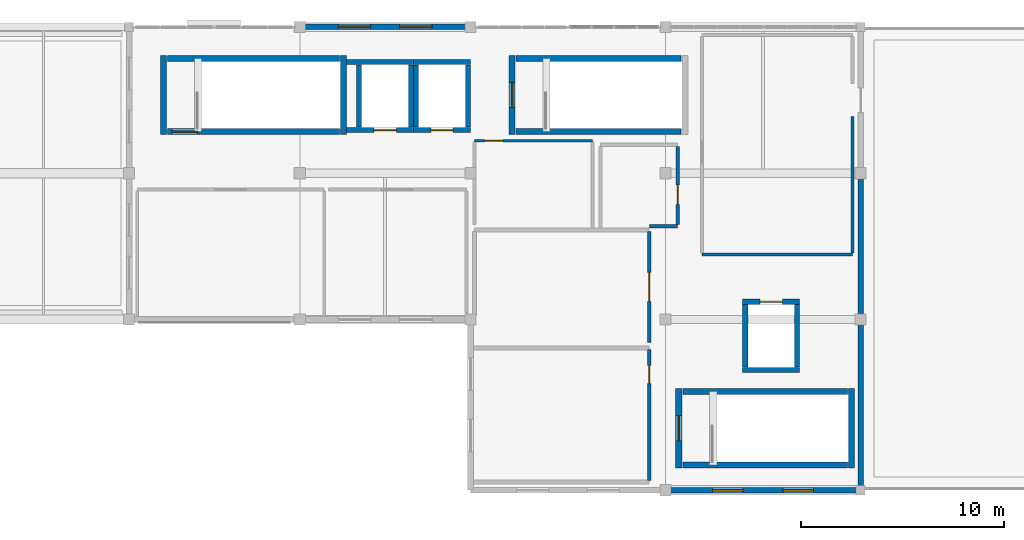
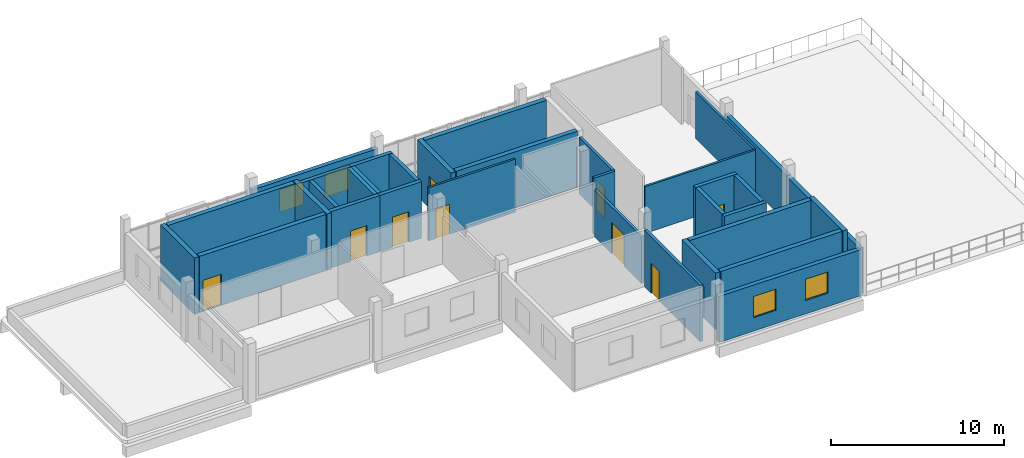
# One storey, part 9 of 11: 34 walls, 10 doors, 4 windows, 14 openings.
"""IFC4 building model written with IfcOpenShell, lengths in metres."""

from ifc_helpers import new_model, si_unit, direction, frame, frame_2d, origin, place, context, subcontext, project, spatial, rectangle, extrude, material, layer, layer_set, type_object, element, fill, save


model = new_model("IFC4")

# Units and contexts
model_context = context("Model", 3, precision=1e-05, world=origin(), true_north=direction((0.0, 1.0)))
body_context = subcontext(model_context, "Body", "Model", "MODEL_VIEW")
ifc_project = project(units=[si_unit("LENGTHUNIT", "METRE"), si_unit("AREAUNIT", "SQUARE_METRE"), si_unit("VOLUMEUNIT", "CUBIC_METRE"), si_unit("PLANEANGLEUNIT", "RADIAN"), si_unit("MASSUNIT", "GRAM", prefix="KILO")], contexts=[model_context])

# Site, building, storey
site_placement = place(None, origin())
site = spatial("IfcSite", under=ifc_project, at=site_placement, CompositionType="ELEMENT")
building_placement = place(site_placement, origin())
building = spatial("IfcBuilding", under=site, at=building_placement, Name="Kisaragi Civic Commons", CompositionType="ELEMENT")
storey_placement = place(building_placement, frame((0.0, 0.0, 17.39990234375)))
storey = spatial("IfcBuildingStorey", under=building, at=storey_placement, Name="L04", CompositionType="ELEMENT", Elevation=17.39990234375)

# Wall, openings, windows
ifc_material_1 = material(Name="Insulated Tokoname terracotta cavity wall", Category="masonry")
ifc_layer_1 = layer(ifc_material_1, 0.278076171875, Name="Insulated Tokoname terracotta cavity wall", Category="masonry")
ifc_layer_set_1 = layer_set([ifc_layer_1], Name="Insulated Tokoname terracotta cavity wall")
wall_type_1 = type_object("IfcWallType", Name="EW-07", PredefinedType="STANDARD", material=ifc_layer_set_1)
wall_1_placement = place(storey_placement, frame((105.60009765625, 118.800048828125, 0.0), z_axis=(0.0, 0.0, 1.0), x_axis=(1.0, 0.0, 0.0)))
wall_1 = element("IfcWall", 1, at=wall_1_placement, inside=storey, type_object=wall_type_1, Name="V4 L04 exterior terracotta wall EW-07 384", PredefinedType="STANDARD", context=body_context, shape_type="SweptSolid", body=[
    extrude(rectangle(XDim=8.39990234375, YDim=0.278076171875, at=frame_2d((4.199951171875, 0.0))), origin(), (0.0, 0.0, 1.0), 3.255126953125),
])
opening_1_placement = place(wall_1_placement, frame((1.887939453125, 0.0, 0.949951171875)))
opening_1 = element("IfcOpeningElement", 2, at=opening_1_placement, cuts=wall_1, Name="Opening W-12", PredefinedType="OPENING", context=body_context, shape_type="SweptSolid", body=[
    extrude(rectangle(XDim=1.60009765625, YDim=1.60009765625, at=frame_2d((0.800048828125, 0.800048828125))), frame((0.0, 0.14892578125, 0.0), z_axis=(0.0, -1.0, 0.0), x_axis=(1.0, 0.0, 0.0)), (0.0, 0.0, 1.0), 0.298095703125),
])
opening_2_placement = place(wall_1_placement, frame((4.912109375, 0.0, 0.949951171875)))
opening_2 = element("IfcOpeningElement", 3, at=opening_2_placement, cuts=wall_1, Name="Opening W-12", PredefinedType="OPENING", context=body_context, shape_type="SweptSolid", body=[
    extrude(rectangle(XDim=1.60009765625, YDim=1.60009765625, at=frame_2d((0.800048828125, 0.800048828125))), frame((0.0, 0.14892578125, 0.0), z_axis=(0.0, -1.0, 0.0), x_axis=(1.0, 0.0, 0.0)), (0.0, 0.0, 1.0), 0.298095703125),
])
ifc_material_2 = material(Name="Thermally broken aluminium frame and low-E argon double glazing", Category="aluminium")
window_type_1 = type_object("IfcWindowType", Name="W-12", PartitioningType="SINGLE_PANEL", PredefinedType="WINDOW", material=ifc_material_2)
window_1_placement = place(opening_1_placement, origin())
window_1 = element("IfcWindow", 4, at=window_1_placement, inside=storey, type_object=window_type_1, Name="V4 L04 window W-12 127", OverallHeight=1.60009765625, OverallWidth=1.60009765625, PartitioningType="SINGLE_PANEL", PredefinedType="WINDOW", context=body_context, shape_type="SweptSolid", body=[
    extrude(rectangle(XDim=1.60009765625, YDim=1.60009765625, at=frame_2d((0.800048828125, 0.800048828125))), frame((0.0, 0.030029296875, 0.0), z_axis=(0.0, -1.0, 0.0), x_axis=(1.0, 0.0, 0.0)), (0.0, 0.0, 1.0), 0.06005859375),
])
fill(opening_1, window_1)
window_2_placement = place(opening_2_placement, origin())
window_2 = element("IfcWindow", 5, at=window_2_placement, inside=storey, type_object=window_type_1, Name="V4 L04 window W-12 128", OverallHeight=1.60009765625, OverallWidth=1.60009765625, PartitioningType="SINGLE_PANEL", PredefinedType="WINDOW", context=body_context, shape_type="SweptSolid", body=[
    extrude(rectangle(XDim=1.60009765625, YDim=1.60009765625, at=frame_2d((0.800048828125, 0.800048828125))), frame((0.0, 0.030029296875, 0.0), z_axis=(0.0, -1.0, 0.0), x_axis=(1.0, 0.0, 0.0)), (0.0, 0.0, 1.0), 0.06005859375),
])
fill(opening_2, window_2)

# Walls
wall_2_placement = place(storey_placement, frame((133.199951171875, 111.60009765625, 0.0), z_axis=(0.0, 0.0, 1.0), x_axis=(0.0, -1.0, 0.0)))
element("IfcWall", 6, at=wall_2_placement, inside=storey, type_object=wall_type_1, Name="V4 L04 exterior terracotta wall EW-07 386", PredefinedType="STANDARD", context=body_context, shape_type="SweptSolid", body=[
    extrude(rectangle(XDim=7.2001953125, YDim=0.278076171875, at=frame_2d((3.60009765625, 0.0))), origin(), (0.0, 0.0, 1.0), 3.30517578125),
])
wall_3_placement = place(storey_placement, frame((133.199951171875, 104.39990234375, 0.0), z_axis=(0.0, 0.0, 1.0), x_axis=(0.0, -1.0, 0.0)))
element("IfcWall", 7, at=wall_3_placement, inside=storey, type_object=wall_type_1, Name="V4 L04 exterior terracotta wall EW-07 387", PredefinedType="STANDARD", context=body_context, shape_type="SweptSolid", body=[
    extrude(rectangle(XDim=8.39990234375, YDim=0.278076171875, at=frame_2d((4.199951171875, 0.0))), origin(), (0.0, 0.0, 1.0), 3.255126953125),
])

# Wall, openings, windows
wall_4_placement = place(storey_placement, frame((133.199951171875, 96.0, 0.0), z_axis=(0.0, 0.0, 1.0), x_axis=(-1.0, 0.0, 0.0)))
wall_4 = element("IfcWall", 8, at=wall_4_placement, inside=storey, type_object=wall_type_1, Name="V4 L04 exterior terracotta wall EW-07 388", PredefinedType="STANDARD", context=body_context, shape_type="SweptSolid", body=[
    extrude(rectangle(XDim=9.599853515625, YDim=0.278076171875, at=frame_2d((4.7998046875, 0.0))), origin(), (0.0, 0.0, 1.0), 3.255126953125),
])
opening_3_placement = place(wall_4_placement, frame((2.322021484375, 0.0, 0.949951171875)))
opening_3 = element("IfcOpeningElement", 9, at=opening_3_placement, cuts=wall_4, Name="Opening W-03", PredefinedType="OPENING", context=body_context, shape_type="SweptSolid", body=[
    extrude(rectangle(XDim=1.5, YDim=1.5, at=frame_2d((0.75, 0.75))), frame((0.0, 0.14892578125, 0.0), z_axis=(0.0, -1.0, 0.0), x_axis=(1.0, 0.0, 0.0)), (0.0, 0.0, 1.0), 0.298095703125),
])
opening_4_placement = place(wall_4_placement, frame((5.778076171875, 0.0, 0.949951171875)))
opening_4 = element("IfcOpeningElement", 10, at=opening_4_placement, cuts=wall_4, Name="Opening W-03", PredefinedType="OPENING", context=body_context, shape_type="SweptSolid", body=[
    extrude(rectangle(XDim=1.5, YDim=1.5, at=frame_2d((0.75, 0.75))), frame((0.0, 0.14892578125, 0.0), z_axis=(0.0, -1.0, 0.0), x_axis=(1.0, 0.0, 0.0)), (0.0, 0.0, 1.0), 0.298095703125),
])
window_type_2 = type_object("IfcWindowType", Name="W-03", PartitioningType="SINGLE_PANEL", PredefinedType="WINDOW", material=ifc_material_2)
window_3_placement = place(opening_3_placement, origin())
window_3 = element("IfcWindow", 11, at=window_3_placement, inside=storey, type_object=window_type_2, Name="V4 L04 window W-03 129", OverallHeight=1.5, OverallWidth=1.5, PartitioningType="SINGLE_PANEL", PredefinedType="WINDOW", context=body_context, shape_type="SweptSolid", body=[
    extrude(rectangle(XDim=1.5, YDim=1.5, at=frame_2d((0.75, 0.75))), frame((0.0, 0.030029296875, 0.0), z_axis=(0.0, -1.0, 0.0), x_axis=(1.0, 0.0, 0.0)), (0.0, 0.0, 1.0), 0.06005859375),
])
fill(opening_3, window_3)
window_4_placement = place(opening_4_placement, origin())
window_4 = element("IfcWindow", 12, at=window_4_placement, inside=storey, type_object=window_type_2, Name="V4 L04 window W-03 130", OverallHeight=1.5, OverallWidth=1.5, PartitioningType="SINGLE_PANEL", PredefinedType="WINDOW", context=body_context, shape_type="SweptSolid", body=[
    extrude(rectangle(XDim=1.5, YDim=1.5, at=frame_2d((0.75, 0.75))), frame((0.0, 0.030029296875, 0.0), z_axis=(0.0, -1.0, 0.0), x_axis=(1.0, 0.0, 0.0)), (0.0, 0.0, 1.0), 0.06005859375),
])
fill(opening_4, window_4)

# Walls
ifc_material_3 = material(Name="Acoustic gypsum board on light-gauge steel studs", Category="steel")
ifc_layer_2 = layer(ifc_material_3, 0.137939453125, Name="Acoustic gypsum board on light-gauge steel studs", Category="steel")
ifc_layer_set_2 = layer_set([ifc_layer_2], Name="Acoustic gypsum board on light-gauge steel studs")
wall_type_2 = type_object("IfcWallType", Name="IW-02", PredefinedType="STANDARD", material=ifc_layer_set_2)
wall_5_placement = place(storey_placement, frame((132.800048828125, 114.385009765625, 0.0), z_axis=(0.0, 0.0, 1.0), x_axis=(0.0, -1.0, 0.0)))
element("IfcWall", 13, at=wall_5_placement, inside=storey, type_object=wall_type_2, Name="L04 W4-06 partition IW-02 364", PredefinedType="STANDARD", context=body_context, shape_type="SweptSolid", body=[
    extrude(rectangle(XDim=6.7099609375, YDim=0.137939453125, at=frame_2d((3.35498046875, 0.0))), origin(), (0.0, 0.0, 1.0), 3.30517578125),
])
wall_6_placement = place(storey_placement, frame((132.794921875, 107.60009765625, 0.0), z_axis=(0.0, 0.0, 1.0), x_axis=(-1.0, 0.0, 0.0)))
element("IfcWall", 14, at=wall_6_placement, inside=storey, type_object=wall_type_2, Name="L04 W4-06 partition IW-02 365", PredefinedType="STANDARD", context=body_context, shape_type="SweptSolid", body=[
    extrude(rectangle(XDim=7.389892578125, YDim=0.137939453125, at=frame_2d((3.69482421875, 0.0))), origin(), (0.0, 0.0, 1.0), 3.30517578125),
])

# Wall, opening, door
wall_7_placement = place(storey_placement, frame((114.205078125, 113.199951171875, 0.0), z_axis=(0.0, 0.0, 1.0), x_axis=(1.0, 0.0, 0.0)))
wall_7 = element("IfcWall", 15, at=wall_7_placement, inside=storey, type_object=wall_type_2, Name="L04 W4-07 partition IW-02 370", PredefinedType="STANDARD", context=body_context, shape_type="SweptSolid", body=[
    extrude(rectangle(XDim=5.7900390625, YDim=0.137939453125, at=frame_2d((2.89501953125, 0.0))), origin(), (0.0, 0.0, 1.0), 3.755126953125),
])
opening_5_placement = place(wall_7_placement, frame((0.489013671875, 0.0, 0.0)))
opening_5 = element("IfcOpeningElement", 16, at=opening_5_placement, cuts=wall_7, Name="Opening ID-02", PredefinedType="OPENING", context=body_context, shape_type="SweptSolid", body=[
    extrude(rectangle(XDim=0.89990234375, YDim=2.10009765625, at=frame_2d((0.449951171875, 1.050048828125))), frame((0.0, 0.078857421875, 0.0), z_axis=(0.0, -1.0, 0.0), x_axis=(1.0, 0.0, 0.0)), (0.0, 0.0, 1.0), 0.157958984375),
])
ifc_material_4 = material(Name="Solid-core Japanese ash acoustic flush timber leaf in steel frame", Category="steel")
door_type_1 = type_object("IfcDoorType", Name="ID-02", OperationType="NOTDEFINED", PredefinedType="DOOR", material=ifc_material_4)
door_1_placement = place(opening_5_placement, origin())
door_1 = element("IfcDoor", 17, at=door_1_placement, inside=storey, type_object=door_type_1, Name="Community Boardroom door ID-02", OperationType="SINGLE_SWING_RIGHT", OverallHeight=2.10009765625, OverallWidth=0.89990234375, PredefinedType="DOOR", context=body_context, shape_type="SweptSolid", body=[
    extrude(rectangle(XDim=0.89990234375, YDim=2.10009765625, at=frame_2d((0.449951171875, 1.050048828125))), frame((0.0, 0.02490234375, 0.0), z_axis=(0.0, -1.0, 0.0), x_axis=(1.0, 0.0, 0.0)), (0.0, 0.0, 1.0), 0.050048828125),
])
fill(opening_5, door_1)

ifc_material_5 = material(Name="Cementitious tile-backer board on galvanized steel studs", Category="steel")
ifc_layer_3 = layer(ifc_material_5, 0.16796875, Name="Cementitious tile-backer board on galvanized steel studs", Category="steel")
ifc_layer_set_3 = layer_set([ifc_layer_3], Name="Cementitious tile-backer board on galvanized steel studs")
wall_type_3 = type_object("IfcWallType", Name="IW-03", PredefinedType="STANDARD", material=ifc_layer_set_3)
wall_8_placement = place(storey_placement, frame((124.199951171875, 112.925048828125, 0.0), z_axis=(0.0, 0.0, 1.0), x_axis=(0.0, -1.0, 0.0)))
wall_8 = element("IfcWall", 18, at=wall_8_placement, inside=storey, type_object=wall_type_3, Name="L04 W4-10 partition IW-03 371", PredefinedType="STANDARD", context=body_context, shape_type="SweptSolid", body=[
    extrude(rectangle(XDim=3.85009765625, YDim=0.16796875, at=frame_2d((1.925048828125, 0.0))), origin(), (0.0, 0.0, 1.0), 3.97998046875),
])
opening_6_placement = place(wall_8_placement, frame((1.9140625, 0.0, 0.0)))
opening_6 = element("IfcOpeningElement", 19, at=opening_6_placement, cuts=wall_8, Name="Opening ID-01", PredefinedType="OPENING", context=body_context, shape_type="SweptSolid", body=[
    extrude(rectangle(XDim=0.949951171875, YDim=2.10009765625, at=frame_2d((0.47509765625, 1.050048828125))), frame((0.0, 0.093994140625, 0.0), z_axis=(0.0, -1.0, 0.0), x_axis=(1.0, 0.0, 0.0)), (0.0, 0.0, 1.0), 0.18798828125),
])
door_type_2 = type_object("IfcDoorType", Name="ID-01", OperationType="NOTDEFINED", PredefinedType="DOOR", material=ifc_material_4)
door_2_placement = place(opening_6_placement, origin())
door_2 = element("IfcDoor", 20, at=door_2_placement, inside=storey, type_object=door_type_2, Name="L04 Accessible WC door ID-01", OperationType="SINGLE_SWING_LEFT", OverallHeight=2.10009765625, OverallWidth=0.949951171875, PredefinedType="DOOR", context=body_context, shape_type="SweptSolid", body=[
    extrude(rectangle(XDim=0.949951171875, YDim=2.10009765625, at=frame_2d((0.47509765625, 1.050048828125))), frame((0.0, 0.02490234375, 0.0), z_axis=(0.0, -1.0, 0.0), x_axis=(1.0, 0.0, 0.0)), (0.0, 0.0, 1.0), 0.050048828125),
])
fill(opening_6, door_2)

# Wall
wall_9_placement = place(storey_placement, frame((124.195068359375, 109.0, 0.0), z_axis=(0.0, 0.0, 1.0), x_axis=(-1.0, 0.0, 0.0)))
element("IfcWall", 21, at=wall_9_placement, inside=storey, type_object=wall_type_3, Name="L04 W4-10 partition IW-03 372", PredefinedType="STANDARD", context=body_context, shape_type="SweptSolid", body=[
    extrude(rectangle(XDim=1.39501953125, YDim=0.16796875, at=frame_2d((0.697509765625, 0.0))), origin(), (0.0, 0.0, 1.0), 3.97998046875),
])

# Wall, opening, door
ifc_material_6 = material(Name="Slatted Mikawa hinoki acoustic timber partition", Category="wood")
ifc_layer_4 = layer(ifc_material_6, 0.18603515625, Name="Slatted Mikawa hinoki acoustic timber partition", Category="wood")
ifc_layer_set_4 = layer_set([ifc_layer_4], Name="Slatted Mikawa hinoki acoustic timber partition")
wall_type_4 = type_object("IfcWallType", Name="IW-08", PredefinedType="STANDARD", material=ifc_layer_set_4)
wall_10_placement = place(storey_placement, frame((122.800048828125, 102.925048828125, 0.0), z_axis=(0.0, 0.0, 1.0), x_axis=(0.0, -1.0, 0.0)))
wall_10 = element("IfcWall", 22, at=wall_10_placement, inside=storey, type_object=wall_type_4, Name="L04 W4-04 partition IW-08 358", PredefinedType="STANDARD", context=body_context, shape_type="SweptSolid", body=[
    extrude(rectangle(XDim=6.449951171875, YDim=0.18603515625, at=frame_2d((3.22509765625, 0.0))), origin(), (0.0, 0.0, 1.0), 3.97998046875),
])
opening_7_placement = place(wall_10_placement, frame((0.777099609375, 0.0, 0.0)))
opening_7 = element("IfcOpeningElement", 23, at=opening_7_placement, cuts=wall_10, Name="Opening ID-02", PredefinedType="OPENING", context=body_context, shape_type="SweptSolid", body=[
    extrude(rectangle(XDim=0.89990234375, YDim=2.10009765625, at=frame_2d((0.449951171875, 1.050048828125))), frame((0.0, 0.10302734375, 0.0), z_axis=(0.0, -1.0, 0.0), x_axis=(1.0, 0.0, 0.0)), (0.0, 0.0, 1.0), 0.2060546875),
])
door_3_placement = place(opening_7_placement, origin())
door_3 = element("IfcDoor", 24, at=door_3_placement, inside=storey, type_object=door_type_1, Name="Tatami Cultural Room door ID-02", OperationType="SINGLE_SWING_RIGHT", OverallHeight=2.10009765625, OverallWidth=0.89990234375, PredefinedType="DOOR", context=body_context, shape_type="SweptSolid", body=[
    extrude(rectangle(XDim=0.89990234375, YDim=2.10009765625, at=frame_2d((0.449951171875, 1.050048828125))), frame((0.0, 0.02490234375, 0.0), z_axis=(0.0, -1.0, 0.0), x_axis=(1.0, 0.0, 0.0)), (0.0, 0.0, 1.0), 0.050048828125),
])
fill(opening_7, door_3)

wall_11_placement = place(storey_placement, frame((122.800048828125, 108.72509765625, 0.0), z_axis=(0.0, 0.0, 1.0), x_axis=(0.0, -1.0, 0.0)))
wall_11 = element("IfcWall", 25, at=wall_11_placement, inside=storey, type_object=wall_type_4, Name="L04 W4-05 partition IW-08 362", PredefinedType="STANDARD", context=body_context, shape_type="SweptSolid", body=[
    extrude(rectangle(XDim=5.4501953125, YDim=0.18603515625, at=frame_2d((2.72509765625, 0.0))), origin(), (0.0, 0.0, 1.0), 3.30517578125),
])
opening_8_placement = place(wall_11_placement, frame((2.0, 0.0, 0.0)))
opening_8 = element("IfcOpeningElement", 26, at=opening_8_placement, cuts=wall_11, Name="Opening ID-11", PredefinedType="OPENING", context=body_context, shape_type="SweptSolid", body=[
    extrude(rectangle(XDim=1.449951171875, YDim=2.219970703125, at=frame_2d((0.72509765625, 1.10986328125))), frame((0.0, 0.10302734375, 0.0), z_axis=(0.0, -1.0, 0.0), x_axis=(1.0, 0.0, 0.0)), (0.0, 0.0, 1.0), 0.2060546875),
])
door_type_3 = type_object("IfcDoorType", Name="ID-11", OperationType="NOTDEFINED", PredefinedType="DOOR", material=ifc_material_4)
door_4_placement = place(opening_8_placement, origin())
door_4 = element("IfcDoor", 27, at=door_4_placement, inside=storey, type_object=door_type_3, Name="Calligraphy Cultural Room door ID-11", OperationType="DOUBLE_DOOR_SINGLE_SWING", OverallHeight=2.219970703125, OverallWidth=1.449951171875, PredefinedType="DOOR", context=body_context, shape_type="SweptSolid", body=[
    extrude(rectangle(XDim=1.449951171875, YDim=2.219970703125, at=frame_2d((0.72509765625, 1.10986328125))), frame((0.0, 0.02490234375, 0.0), z_axis=(0.0, -1.0, 0.0), x_axis=(1.0, 0.0, 0.0)), (0.0, 0.0, 1.0), 0.050048828125),
])
fill(opening_8, door_4)

# Wall
ifc_material_7 = material(Name="Concrete Fc36", Category="concrete")
ifc_layer_5 = layer(ifc_material_7, 0.300048828125, Name="Concrete Fc36", Category="concrete")
ifc_layer_set_5 = layer_set([ifc_layer_5], Name="Concrete Fc36")
wall_type_5 = type_object("IfcWallType", Name="SW-01", PredefinedType="SHEAR", material=ifc_layer_set_5)
wall_12_placement = place(storey_placement, frame((98.89990234375, 117.39990234375, 0.0), z_axis=(0.0, 0.0, 1.0), x_axis=(0.0, -1.0, 0.0)))
element("IfcWall", 28, at=wall_12_placement, inside=storey, type_object=wall_type_5, Name="ST-L1 L04 entry RC shear wall", PredefinedType="SHEAR", context=body_context, shape_type="SweptSolid", body=[
    extrude(rectangle(XDim=3.89990234375, YDim=0.300048828125, at=frame_2d((1.949951171875, 0.0))), origin(), (0.0, 0.0, 1.0), 3.97998046875),
])

# Wall, opening, door
wall_13_placement = place(storey_placement, frame((99.10009765625, 113.64990234375, 0.0), z_axis=(0.0, 0.0, 1.0), x_axis=(1.0, 0.0, 0.0)))
wall_13 = element("IfcWall", 29, at=wall_13_placement, inside=storey, type_object=wall_type_5, Name="ST-L1 L04 right RC shear wall", PredefinedType="SHEAR", context=body_context, shape_type="SweptSolid", body=[
    extrude(rectangle(XDim=8.449951171875, YDim=0.300048828125, at=frame_2d((4.22509765625, 0.0))), origin(), (0.0, 0.0, 1.0), 3.97998046875),
])
opening_9_placement = place(wall_13_placement, frame((0.219970703125, 0.0, 0.0)))
opening_9 = element("IfcOpeningElement", 30, at=opening_9_placement, cuts=wall_13, Name="Opening SD-01", PredefinedType="OPENING", context=body_context, shape_type="SweptSolid", body=[
    extrude(rectangle(XDim=1.25, YDim=2.199951171875, at=frame_2d((0.625, 1.10009765625))), frame((0.0, 0.159912109375, 0.0), z_axis=(0.0, -1.0, 0.0), x_axis=(1.0, 0.0, 0.0)), (0.0, 0.0, 1.0), 0.320068359375),
])
ifc_material_8 = material(Name="Insulated fire-rated pressed steel door assembly", Category="steel")
door_type_4 = type_object("IfcDoorType", Name="SD-01", OperationType="NOTDEFINED", PredefinedType="DOOR", material=ifc_material_8)
door_5_placement = place(opening_9_placement, origin())
door_5 = element("IfcDoor", 31, at=door_5_placement, inside=storey, type_object=door_type_4, Name="ST-L1 L04 stair fire door 6", OperationType="SINGLE_SWING_RIGHT", OverallHeight=2.199951171875, OverallWidth=1.25, PredefinedType="DOOR", context=body_context, shape_type="SweptSolid", body=[
    extrude(rectangle(XDim=1.25, YDim=2.199951171875, at=frame_2d((0.625, 1.10009765625))), frame((0.0, 0.02490234375, 0.0), z_axis=(0.0, -1.0, 0.0), x_axis=(1.0, 0.0, 0.0)), (0.0, 0.0, 1.0), 0.050048828125),
])
fill(opening_9, door_5)

# Walls
wall_14_placement = place(storey_placement, frame((107.75, 113.5, 0.0), z_axis=(0.0, 0.0, 1.0), x_axis=(0.0, 1.0, 0.0)))
element("IfcWall", 32, at=wall_14_placement, inside=storey, type_object=wall_type_5, Name="ST-L1 L04 far RC shear wall", PredefinedType="SHEAR", context=body_context, shape_type="SweptSolid", body=[
    extrude(rectangle(XDim=3.89990234375, YDim=0.300048828125, at=frame_2d((1.949951171875, 0.0))), origin(), (0.0, 0.0, 1.0), 3.97998046875),
])
wall_15_placement = place(storey_placement, frame((107.550048828125, 117.25, 0.0), z_axis=(0.0, 0.0, 1.0), x_axis=(-1.0, 0.0, 0.0)))
element("IfcWall", 33, at=wall_15_placement, inside=storey, type_object=wall_type_5, Name="ST-L1 L04 left RC shear wall", PredefinedType="SHEAR", context=body_context, shape_type="SweptSolid", body=[
    extrude(rectangle(XDim=8.449951171875, YDim=0.300048828125, at=frame_2d((4.22509765625, 0.0))), origin(), (0.0, 0.0, 1.0), 3.97998046875),
])

# Wall, opening, door
wall_16_placement = place(storey_placement, frame((116.050048828125, 117.39990234375, 0.0), z_axis=(0.0, 0.0, 1.0), x_axis=(0.0, -1.0, 0.0)))
wall_16 = element("IfcWall", 34, at=wall_16_placement, inside=storey, type_object=wall_type_5, Name="ST-L2 L04 entry RC shear wall", PredefinedType="SHEAR", context=body_context, shape_type="SweptSolid", body=[
    extrude(rectangle(XDim=3.89990234375, YDim=0.300048828125, at=frame_2d((1.949951171875, 0.0))), origin(), (0.0, 0.0, 1.0), 3.97998046875),
])
opening_10_placement = place(wall_16_placement, frame((1.324951171875, 0.0, 0.0)))
opening_10 = element("IfcOpeningElement", 35, at=opening_10_placement, cuts=wall_16, Name="Opening SD-01", PredefinedType="OPENING", context=body_context, shape_type="SweptSolid", body=[
    extrude(rectangle(XDim=1.25, YDim=2.199951171875, at=frame_2d((0.625, 1.10009765625))), frame((0.0, 0.159912109375, 0.0), z_axis=(0.0, -1.0, 0.0), x_axis=(1.0, 0.0, 0.0)), (0.0, 0.0, 1.0), 0.320068359375),
])
door_6_placement = place(opening_10_placement, origin())
door_6 = element("IfcDoor", 36, at=door_6_placement, inside=storey, type_object=door_type_4, Name="ST-L2 L04 stair fire door 12", OperationType="SINGLE_SWING_RIGHT", OverallHeight=2.199951171875, OverallWidth=1.25, PredefinedType="DOOR", context=body_context, shape_type="SweptSolid", body=[
    extrude(rectangle(XDim=1.25, YDim=2.199951171875, at=frame_2d((0.625, 1.10009765625))), frame((0.0, 0.02490234375, 0.0), z_axis=(0.0, -1.0, 0.0), x_axis=(1.0, 0.0, 0.0)), (0.0, 0.0, 1.0), 0.050048828125),
])
fill(opening_10, door_6)

# Walls
for number, where, z_axis, x_axis, name in (
    (37, (116.25, 113.64990234375, 0.0), (0.0, 0.0, 1.0), (1.0, 0.0, 0.0), "ST-L2 L04 right RC shear wall"),
    (38, (124.35009765625, 117.25, 0.0), (0.0, 0.0, 1.0), (-1.0, 0.0, 0.0), "ST-L2 L04 left RC shear wall"),
):
    element("IfcWall", number, at=place(storey_placement, frame(where, z_axis=z_axis, x_axis=x_axis)), inside=storey, type_object=wall_type_5, Name=name, PredefinedType="SHEAR", context=body_context, shape_type="SweptSolid", body=[
        extrude(rectangle(XDim=8.10009765625, YDim=0.300048828125, at=frame_2d((4.050048828125, 0.0))), origin(), (0.0, 0.0, 1.0), 3.97998046875),
    ])

# Wall, opening, door
wall_17_placement = place(storey_placement, frame((124.25, 101.0, 0.0), z_axis=(0.0, 0.0, 1.0), x_axis=(0.0, -1.0, 0.0)))
wall_17 = element("IfcWall", 39, at=wall_17_placement, inside=storey, type_object=wall_type_5, Name="ST-L3 L04 entry RC shear wall", PredefinedType="SHEAR", context=body_context, shape_type="SweptSolid", body=[
    extrude(rectangle(XDim=3.89990234375, YDim=0.300048828125, at=frame_2d((1.949951171875, 0.0))), origin(), (0.0, 0.0, 1.0), 3.97998046875),
])
opening_11_placement = place(wall_17_placement, frame((1.324951171875, 0.0, 0.0)))
opening_11 = element("IfcOpeningElement", 40, at=opening_11_placement, cuts=wall_17, Name="Opening SD-01", PredefinedType="OPENING", context=body_context, shape_type="SweptSolid", body=[
    extrude(rectangle(XDim=1.25, YDim=2.199951171875, at=frame_2d((0.625, 1.10009765625))), frame((0.0, 0.159912109375, 0.0), z_axis=(0.0, -1.0, 0.0), x_axis=(1.0, 0.0, 0.0)), (0.0, 0.0, 1.0), 0.320068359375),
])
door_7_placement = place(opening_11_placement, origin())
door_7 = element("IfcDoor", 41, at=door_7_placement, inside=storey, type_object=door_type_4, Name="ST-L3 L04 stair fire door 18", OperationType="SINGLE_SWING_RIGHT", OverallHeight=2.199951171875, OverallWidth=1.25, PredefinedType="DOOR", context=body_context, shape_type="SweptSolid", body=[
    extrude(rectangle(XDim=1.25, YDim=2.199951171875, at=frame_2d((0.625, 1.10009765625))), frame((0.0, 0.02490234375, 0.0), z_axis=(0.0, -1.0, 0.0), x_axis=(1.0, 0.0, 0.0)), (0.0, 0.0, 1.0), 0.050048828125),
])
fill(opening_11, door_7)

# Walls
wall_18_placement = place(storey_placement, frame((124.449951171875, 97.25, 0.0), z_axis=(0.0, 0.0, 1.0), x_axis=(1.0, 0.0, 0.0)))
element("IfcWall", 42, at=wall_18_placement, inside=storey, type_object=wall_type_5, Name="ST-L3 L04 right RC shear wall", PredefinedType="SHEAR", context=body_context, shape_type="SweptSolid", body=[
    extrude(rectangle(XDim=8.10009765625, YDim=0.300048828125, at=frame_2d((4.050048828125, 0.0))), origin(), (0.0, 0.0, 1.0), 3.97998046875),
])
wall_19_placement = place(storey_placement, frame((132.75, 97.10009765625, 0.0), z_axis=(0.0, 0.0, 1.0), x_axis=(0.0, 1.0, 0.0)))
element("IfcWall", 43, at=wall_19_placement, inside=storey, type_object=wall_type_5, Name="ST-L3 L04 far RC shear wall", PredefinedType="SHEAR", context=body_context, shape_type="SweptSolid", body=[
    extrude(rectangle(XDim=3.89990234375, YDim=0.300048828125, at=frame_2d((1.949951171875, 0.0))), origin(), (0.0, 0.0, 1.0), 3.97998046875),
])
wall_20_placement = place(storey_placement, frame((132.550048828125, 100.85009765625, 0.0), z_axis=(0.0, 0.0, 1.0), x_axis=(-1.0, 0.0, 0.0)))
element("IfcWall", 44, at=wall_20_placement, inside=storey, type_object=wall_type_5, Name="ST-L3 L04 left RC shear wall", PredefinedType="SHEAR", context=body_context, shape_type="SweptSolid", body=[
    extrude(rectangle(XDim=8.10009765625, YDim=0.300048828125, at=frame_2d((4.050048828125, 0.0))), origin(), (0.0, 0.0, 1.0), 3.97998046875),
])

# Wall, opening, door
ifc_layer_6 = layer(ifc_material_7, 0.25, Name="Concrete Fc36", Category="concrete")
ifc_layer_set_6 = layer_set([ifc_layer_6], Name="Concrete Fc36")
wall_type_6 = type_object("IfcWallType", Name="SW-02", PredefinedType="SHEAR", material=ifc_layer_set_6)
wall_21_placement = place(storey_placement, frame((111.199951171875, 113.72509765625, 0.0), z_axis=(0.0, 0.0, 1.0), x_axis=(-1.0, 0.0, 0.0)))
wall_21 = element("IfcWall", 45, at=wall_21_placement, inside=storey, type_object=wall_type_6, Name="EL-L1 L04 south lift shaft wall", PredefinedType="SHEAR", context=body_context, shape_type="SweptSolid", body=[
    extrude(rectangle(XDim=3.300048828125, YDim=0.25, at=frame_2d((1.64990234375, 0.0))), origin(), (0.0, 0.0, 1.0), 3.97998046875),
])
opening_12_placement = place(wall_21_placement, frame((0.85009765625, 0.0, 0.0)))
opening_12 = element("IfcOpeningElement", 46, at=opening_12_placement, cuts=wall_21, Name="Opening LD-01", PredefinedType="OPENING", context=body_context, shape_type="SweptSolid", body=[
    extrude(rectangle(XDim=1.10009765625, YDim=2.14990234375, at=frame_2d((0.550048828125, 1.074951171875))), frame((0.0, 0.135009765625, 0.0), z_axis=(0.0, -1.0, 0.0), x_axis=(1.0, 0.0, 0.0)), (0.0, 0.0, 1.0), 0.27001953125),
])
ifc_material_9 = material(Name="Brushed stainless steel bi-parting landing door", Category="steel")
door_type_5 = type_object("IfcDoorType", Name="LD-01", OperationType="NOTDEFINED", PredefinedType="DOOR", material=ifc_material_9)
door_8_placement = place(opening_12_placement, origin())
door_8 = element("IfcDoor", 47, at=door_8_placement, inside=storey, type_object=door_type_5, Name="EL-L1 L04 sliding lift landing door", OperationType="DOUBLE_DOOR_SLIDING", OverallHeight=2.14990234375, OverallWidth=1.10009765625, PredefinedType="DOOR", context=body_context, shape_type="SweptSolid", body=[
    extrude(rectangle(XDim=1.10009765625, YDim=2.14990234375, at=frame_2d((0.550048828125, 1.074951171875))), frame((0.0, 0.02490234375, 0.0), z_axis=(0.0, -1.0, 0.0), x_axis=(1.0, 0.0, 0.0)), (0.0, 0.0, 1.0), 0.050048828125),
])
fill(opening_12, door_8)

# Walls
wall_22_placement = place(storey_placement, frame((108.52490234375, 113.8701171875, 0.0), z_axis=(0.0, 0.0, 1.0), x_axis=(0.0, 1.0, 0.0)))
element("IfcWall", 48, at=wall_22_placement, inside=storey, type_object=wall_type_6, Name="EL-L1 L04 west lift shaft wall", PredefinedType="SHEAR", context=body_context, shape_type="SweptSolid", body=[
    extrude(rectangle(XDim=3.059814453125, YDim=0.25, at=frame_2d((1.52978515625, 0.0))), origin(), (0.0, 0.0, 1.0), 3.97998046875),
])
wall_23_placement = place(storey_placement, frame((107.89990234375, 117.074951171875, 0.0), z_axis=(0.0, 0.0, 1.0), x_axis=(1.0, 0.0, 0.0)))
element("IfcWall", 49, at=wall_23_placement, inside=storey, type_object=wall_type_6, Name="EL-L1 L04 north lift shaft wall", PredefinedType="SHEAR", context=body_context, shape_type="SweptSolid", body=[
    extrude(rectangle(XDim=3.300048828125, YDim=0.25, at=frame_2d((1.64990234375, 0.0))), origin(), (0.0, 0.0, 1.0), 3.97998046875),
])
wall_24_placement = place(storey_placement, frame((111.074951171875, 116.929931640625, 0.0), z_axis=(0.0, 0.0, 1.0), x_axis=(0.0, -1.0, 0.0)))
element("IfcWall", 50, at=wall_24_placement, inside=storey, type_object=wall_type_6, Name="EL-L1 L04 east lift shaft wall", PredefinedType="SHEAR", context=body_context, shape_type="SweptSolid", body=[
    extrude(rectangle(XDim=3.059814453125, YDim=0.25, at=frame_2d((1.52978515625, 0.0))), origin(), (0.0, 0.0, 1.0), 3.97998046875),
])

# Wall, opening, door
wall_25_placement = place(storey_placement, frame((114.0, 113.72509765625, 0.0), z_axis=(0.0, 0.0, 1.0), x_axis=(-1.0, 0.0, 0.0)))
wall_25 = element("IfcWall", 51, at=wall_25_placement, inside=storey, type_object=wall_type_6, Name="EL-L2 L04 south lift shaft wall", PredefinedType="SHEAR", context=body_context, shape_type="SweptSolid", body=[
    extrude(rectangle(XDim=2.800048828125, YDim=0.25, at=frame_2d((1.39990234375, 0.0))), origin(), (0.0, 0.0, 1.0), 3.97998046875),
])
opening_13_placement = place(wall_25_placement, frame((0.85009765625, 0.0, 0.0)))
opening_13 = element("IfcOpeningElement", 52, at=opening_13_placement, cuts=wall_25, Name="Opening LD-01", PredefinedType="OPENING", context=body_context, shape_type="SweptSolid", body=[
    extrude(rectangle(XDim=1.10009765625, YDim=2.14990234375, at=frame_2d((0.550048828125, 1.074951171875))), frame((0.0, 0.135009765625, 0.0), z_axis=(0.0, -1.0, 0.0), x_axis=(1.0, 0.0, 0.0)), (0.0, 0.0, 1.0), 0.27001953125),
])
door_9_placement = place(opening_13_placement, origin())
door_9 = element("IfcDoor", 53, at=door_9_placement, inside=storey, type_object=door_type_5, Name="EL-L2 L04 sliding lift landing door", OperationType="DOUBLE_DOOR_SLIDING", OverallHeight=2.14990234375, OverallWidth=1.10009765625, PredefinedType="DOOR", context=body_context, shape_type="SweptSolid", body=[
    extrude(rectangle(XDim=1.10009765625, YDim=2.14990234375, at=frame_2d((0.550048828125, 1.074951171875))), frame((0.0, 0.02490234375, 0.0), z_axis=(0.0, -1.0, 0.0), x_axis=(1.0, 0.0, 0.0)), (0.0, 0.0, 1.0), 0.050048828125),
])
fill(opening_13, door_9)

# Walls
wall_26_placement = place(storey_placement, frame((111.324951171875, 113.8701171875, 0.0), z_axis=(0.0, 0.0, 1.0), x_axis=(0.0, 1.0, 0.0)))
element("IfcWall", 54, at=wall_26_placement, inside=storey, type_object=wall_type_6, Name="EL-L2 L04 west lift shaft wall", PredefinedType="SHEAR", context=body_context, shape_type="SweptSolid", body=[
    extrude(rectangle(XDim=3.059814453125, YDim=0.25, at=frame_2d((1.52978515625, 0.0))), origin(), (0.0, 0.0, 1.0), 3.97998046875),
])
wall_27_placement = place(storey_placement, frame((111.199951171875, 117.074951171875, 0.0), z_axis=(0.0, 0.0, 1.0), x_axis=(1.0, 0.0, 0.0)))
element("IfcWall", 55, at=wall_27_placement, inside=storey, type_object=wall_type_6, Name="EL-L2 L04 north lift shaft wall", PredefinedType="SHEAR", context=body_context, shape_type="SweptSolid", body=[
    extrude(rectangle(XDim=2.800048828125, YDim=0.25, at=frame_2d((1.39990234375, 0.0))), origin(), (0.0, 0.0, 1.0), 3.97998046875),
])
wall_28_placement = place(storey_placement, frame((113.875, 116.929931640625, 0.0), z_axis=(0.0, 0.0, 1.0), x_axis=(0.0, -1.0, 0.0)))
element("IfcWall", 56, at=wall_28_placement, inside=storey, type_object=wall_type_6, Name="EL-L2 L04 east lift shaft wall", PredefinedType="SHEAR", context=body_context, shape_type="SweptSolid", body=[
    extrude(rectangle(XDim=3.059814453125, YDim=0.25, at=frame_2d((1.52978515625, 0.0))), origin(), (0.0, 0.0, 1.0), 3.97998046875),
])
wall_29_placement = place(storey_placement, frame((130.199951171875, 101.925048828125, 0.0), z_axis=(0.0, 0.0, 1.0), x_axis=(-1.0, 0.0, 0.0)))
element("IfcWall", 57, at=wall_29_placement, inside=storey, type_object=wall_type_6, Name="EL-L3 L04 south lift shaft wall", PredefinedType="SHEAR", context=body_context, shape_type="SweptSolid", body=[
    extrude(rectangle(XDim=2.800048828125, YDim=0.25, at=frame_2d((1.39990234375, 0.0))), origin(), (0.0, 0.0, 1.0), 3.97998046875),
])
wall_30_placement = place(storey_placement, frame((127.52490234375, 102.070068359375, 0.0), z_axis=(0.0, 0.0, 1.0), x_axis=(0.0, 1.0, 0.0)))
element("IfcWall", 58, at=wall_30_placement, inside=storey, type_object=wall_type_6, Name="EL-L3 L04 west lift shaft wall", PredefinedType="SHEAR", context=body_context, shape_type="SweptSolid", body=[
    extrude(rectangle(XDim=3.059814453125, YDim=0.25, at=frame_2d((1.52978515625, 0.0))), origin(), (0.0, 0.0, 1.0), 3.97998046875),
])

# Wall, opening, door
wall_31_placement = place(storey_placement, frame((127.39990234375, 105.27490234375, 0.0), z_axis=(0.0, 0.0, 1.0), x_axis=(1.0, 0.0, 0.0)))
wall_31 = element("IfcWall", 59, at=wall_31_placement, inside=storey, type_object=wall_type_6, Name="EL-L3 L04 north lift shaft wall", PredefinedType="SHEAR", context=body_context, shape_type="SweptSolid", body=[
    extrude(rectangle(XDim=2.800048828125, YDim=0.25, at=frame_2d((1.39990234375, 0.0))), origin(), (0.0, 0.0, 1.0), 3.97998046875),
])
opening_14_placement = place(wall_31_placement, frame((0.85009765625, 0.0, 0.0)))
opening_14 = element("IfcOpeningElement", 60, at=opening_14_placement, cuts=wall_31, Name="Opening LD-01", PredefinedType="OPENING", context=body_context, shape_type="SweptSolid", body=[
    extrude(rectangle(XDim=1.10009765625, YDim=2.14990234375, at=frame_2d((0.550048828125, 1.074951171875))), frame((0.0, 0.135009765625, 0.0), z_axis=(0.0, -1.0, 0.0), x_axis=(1.0, 0.0, 0.0)), (0.0, 0.0, 1.0), 0.27001953125),
])
door_10_placement = place(opening_14_placement, origin())
door_10 = element("IfcDoor", 61, at=door_10_placement, inside=storey, type_object=door_type_5, Name="EL-L3 L04 sliding lift landing door", OperationType="DOUBLE_DOOR_SLIDING", OverallHeight=2.14990234375, OverallWidth=1.10009765625, PredefinedType="DOOR", context=body_context, shape_type="SweptSolid", body=[
    extrude(rectangle(XDim=1.10009765625, YDim=2.14990234375, at=frame_2d((0.550048828125, 1.074951171875))), frame((0.0, 0.02490234375, 0.0), z_axis=(0.0, -1.0, 0.0), x_axis=(1.0, 0.0, 0.0)), (0.0, 0.0, 1.0), 0.050048828125),
])
fill(opening_14, door_10)

# Wall
wall_32_placement = place(storey_placement, frame((130.074951171875, 105.1298828125, 0.0), z_axis=(0.0, 0.0, 1.0), x_axis=(0.0, -1.0, 0.0)))
element("IfcWall", 62, at=wall_32_placement, inside=storey, type_object=wall_type_6, Name="EL-L3 L04 east lift shaft wall", PredefinedType="SHEAR", context=body_context, shape_type="SweptSolid", body=[
    extrude(rectangle(XDim=3.059814453125, YDim=0.25, at=frame_2d((1.52978515625, 0.0))), origin(), (0.0, 0.0, 1.0), 3.97998046875),
])

save(model, "model.ifc")
